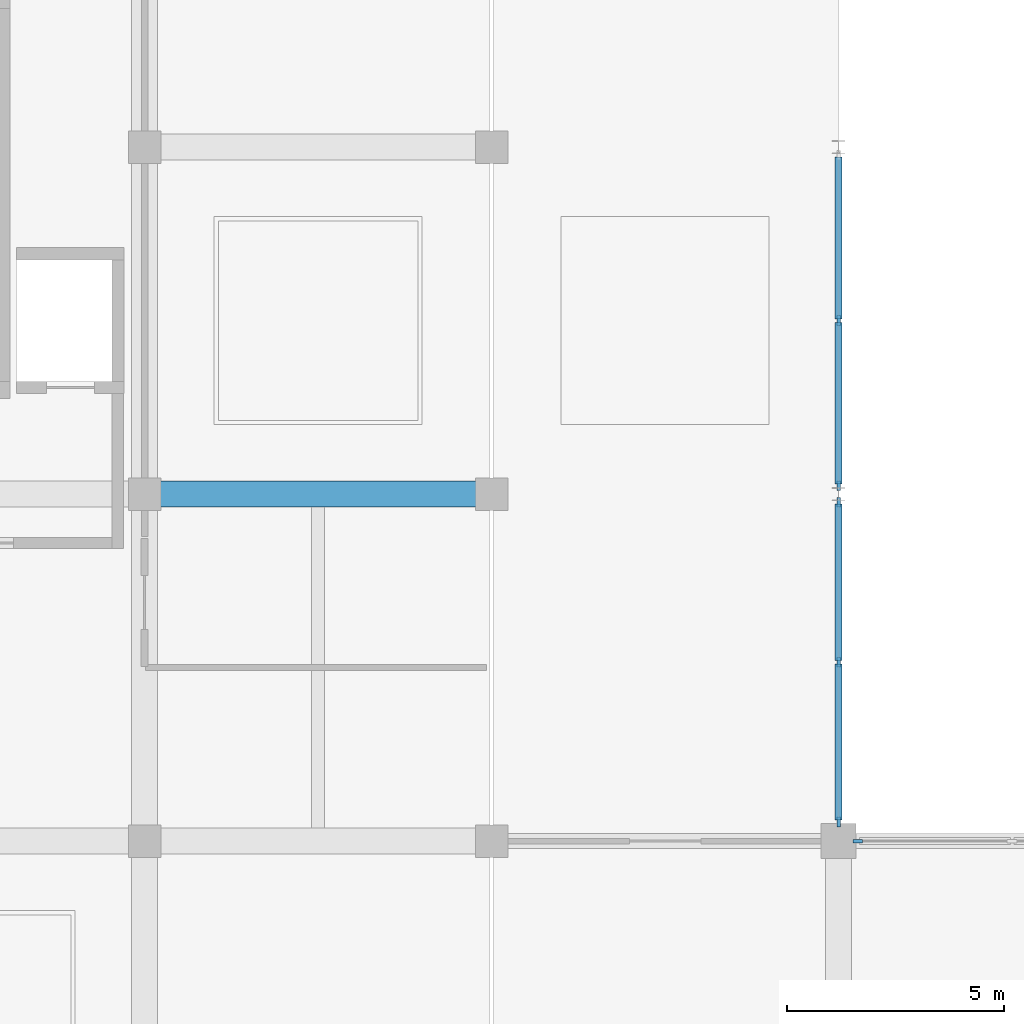
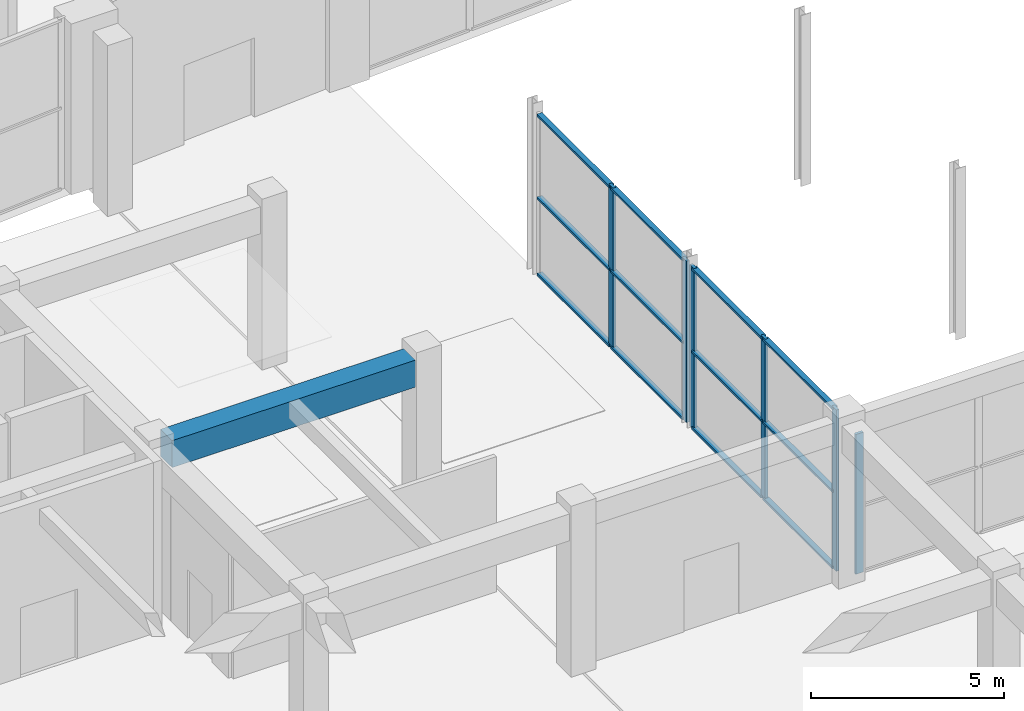
# One storey, part 17 of 86: 18 members, 1 beam, 3 elements without a shape of their own.
"""IFC4 building model written with IfcOpenShell, lengths in metres."""

from ifc_helpers import new_model, si_unit, direction, frame, origin, origin_2d, place, context, subcontext, project, spatial, rectangle, extrude, material, material_profile, profile_set, type_object, element, aggregate, save


model = new_model("IFC4")

# Units and contexts
model_context = context("Model", 3, precision=1e-05, world=origin(), true_north=direction((0.0, 1.0)))
body_context = subcontext(model_context, "Body", "Model", "MODEL_VIEW")
ifc_project = project(units=[si_unit("LENGTHUNIT", "METRE"), si_unit("AREAUNIT", "SQUARE_METRE"), si_unit("VOLUMEUNIT", "CUBIC_METRE"), si_unit("PLANEANGLEUNIT", "RADIAN"), si_unit("MASSUNIT", "GRAM", prefix="KILO")], contexts=[model_context])

# Site, building, storey
site_placement = place(None, origin())
site = spatial("IfcSite", under=ifc_project, at=site_placement, CompositionType="ELEMENT")
building_placement = place(site_placement, origin())
building = spatial("IfcBuilding", under=site, at=building_placement, Name="Kenh Van Central Station", CompositionType="ELEMENT")
storey_placement = place(building_placement, origin())
storey = spatial("IfcBuildingStorey", under=building, at=storey_placement, Name="L00", CompositionType="ELEMENT", Elevation=0.0)

# Beam
ifc_material_1 = material(Name="Concrete C35/45", Category="concrete")
ifc_material_profile_1 = material_profile(ifc_material_1, rectangle(XDim=0.60009765625, YDim=0.85009765625, at=origin_2d()), Name="RC 600x850")
ifc_profile_set_1 = profile_set([ifc_material_profile_1], Name="Concrete C35/45")
beam_type = type_object("IfcBeamType", Name="BM-RC-600x850", PredefinedType="BEAM", material=ifc_profile_set_1)
beam_placement = place(storey_placement, frame((40.364990234375, 48.0, 4.695068359375), z_axis=(1.0, 0.0, 0.0), x_axis=(0.0, 1.0, 0.0)))
element("IfcBeam", 1, at=beam_placement, inside=storey, type_object=beam_type, Name="L00 beam 0430", PredefinedType="BEAM", context=body_context, shape_type="SweptSolid", body=[
    extrude(rectangle(XDim=0.60009765625, YDim=0.85009765625, at=origin_2d()), origin(), (0.0, 0.0, 1.0), 7.27001953125),
])

# Curtain wall, member
ifc_material_2 = material(Name="Champagne anodised aluminium", Category="aluminium")
curtain_wall_type = type_object("IfcCurtainWallType", Name="CW-CONC-B", PredefinedType="NOTDEFINED", material=ifc_material_2)
curtain_wall_1_placement = place(storey_placement, origin())
curtain_wall_1 = element("IfcCurtainWall", 2, at=curtain_wall_1_placement, inside=storey, type_object=curtain_wall_type, Name="L00 curtain wall 028", PredefinedType="NOTDEFINED")
ifc_material_profile_2 = material_profile(ifc_material_2, rectangle(XDim=0.08203125, YDim=0.22509765625, at=origin_2d()), Name="AL 82x225")
ifc_profile_set_2 = profile_set([ifc_material_profile_2], Name="Champagne anodised aluminium")
member_type_1 = type_object("IfcMemberType", Name="CWM-70x180", PredefinedType="MULLION", material=ifc_profile_set_2)
member_1_placement = place(storey_placement, frame((56.44091796875, 40.0, 0.0), z_axis=(0.0, 0.0, 1.0), x_axis=(0.0, -1.0, 0.0)))
member_1 = element("IfcMember", 3, at=member_1_placement, type_object=member_type_1, Name="CW-04 mullion 3", PredefinedType="MULLION", context=body_context, shape_type="SweptSolid", body=[
    extrude(rectangle(XDim=0.08203125, YDim=0.22509765625, at=origin_2d()), origin(), (0.0, 0.0, 1.0), 4.419921875),
])
aggregate(curtain_wall_1, [member_1])

# Curtain wall, members
curtain_wall_2_placement = place(storey_placement, origin())
curtain_wall_2 = element("IfcCurtainWall", 4, at=curtain_wall_2_placement, inside=storey, type_object=curtain_wall_type, Name="L00 curtain wall 029", PredefinedType="NOTDEFINED")
member_2_placement = place(storey_placement, frame((56.0, 40.44091796875, 0.0), z_axis=(0.0, 0.0, 1.0), x_axis=(-1.0, 0.0, 0.0)))
member_2 = element("IfcMember", 5, at=member_2_placement, type_object=member_type_1, Name="CW-04 mullion 1", PredefinedType="MULLION", context=body_context, shape_type="SweptSolid", body=[
    extrude(rectangle(XDim=0.08203125, YDim=0.22509765625, at=origin_2d()), origin(), (0.0, 0.0, 1.0), 5.10009765625),
])
member_3_placement = place(storey_placement, frame((56.0, 44.125, 0.0), z_axis=(0.0, 0.0, 1.0), x_axis=(-1.0, 0.0, 0.0)))
member_3 = element("IfcMember", 6, at=member_3_placement, type_object=member_type_1, Name="CW-04 mullion 2", PredefinedType="MULLION", context=body_context, shape_type="SweptSolid", body=[
    extrude(rectangle(XDim=0.08203125, YDim=0.22509765625, at=origin_2d()), origin(), (0.0, 0.0, 1.0), 5.10009765625),
])
member_4_placement = place(storey_placement, frame((56.0, 47.80908203125, 0.0), z_axis=(0.0, 0.0, 1.0), x_axis=(-1.0, 0.0, 0.0)))
member_4 = element("IfcMember", 7, at=member_4_placement, type_object=member_type_1, Name="CW-04 mullion 3", PredefinedType="MULLION", context=body_context, shape_type="SweptSolid", body=[
    extrude(rectangle(XDim=0.08203125, YDim=0.22509765625, at=origin_2d()), origin(), (0.0, 0.0, 1.0), 5.10009765625),
])

curtain_wall_3_placement = place(storey_placement, origin())
curtain_wall_3 = element("IfcCurtainWall", 8, at=curtain_wall_3_placement, inside=storey, type_object=curtain_wall_type, Name="L00 curtain wall 030", PredefinedType="NOTDEFINED")
member_5_placement = place(storey_placement, frame((56.0, 48.19091796875, 0.0), z_axis=(0.0, 0.0, 1.0), x_axis=(-1.0, 0.0, 0.0)))
member_5 = element("IfcMember", 9, at=member_5_placement, type_object=member_type_1, Name="CW-04 mullion 1", PredefinedType="MULLION", context=body_context, shape_type="SweptSolid", body=[
    extrude(rectangle(XDim=0.08203125, YDim=0.22509765625, at=origin_2d()), origin(), (0.0, 0.0, 1.0), 5.10009765625),
])
member_6_placement = place(storey_placement, frame((56.0, 52.0, 0.0), z_axis=(0.0, 0.0, 1.0), x_axis=(-1.0, 0.0, 0.0)))
member_6 = element("IfcMember", 10, at=member_6_placement, type_object=member_type_1, Name="CW-04 mullion 2", PredefinedType="MULLION", context=body_context, shape_type="SweptSolid", body=[
    extrude(rectangle(XDim=0.08203125, YDim=0.22509765625, at=origin_2d()), origin(), (0.0, 0.0, 1.0), 5.10009765625),
])

# Member
ifc_material_profile_3 = material_profile(ifc_material_2, rectangle(XDim=0.155029296875, YDim=0.072021484375, at=origin_2d()), Name="AL 155x72")
ifc_profile_set_3 = profile_set([ifc_material_profile_3], Name="Champagne anodised aluminium")
member_type_2 = type_object("IfcMemberType", Name="CWT-120x60", PredefinedType="USERDEFINED", material=ifc_profile_set_3)
member_7_placement = place(storey_placement, frame((56.0, 40.48193359375, 0.035888671875), z_axis=(0.0, 1.0, 0.0), x_axis=(-1.0, 0.0, 0.0)))
member_7 = element("IfcMember", 11, at=member_7_placement, type_object=member_type_2, Name="CW-04 transom 1.1", ObjectType="TRANSOM", PredefinedType="USERDEFINED", context=body_context, shape_type="SweptSolid", body=[
    extrude(rectangle(XDim=0.155029296875, YDim=0.072021484375, at=origin_2d()), origin(), (0.0, 0.0, 1.0), 3.60205078125),
])

member_8_placement = place(storey_placement, frame((56.0, 40.48193359375, 2.447998046875), z_axis=(0.0, 1.0, 0.0), x_axis=(-1.0, 0.0, 0.0)))
member_8 = element("IfcMember", 12, at=member_8_placement, type_object=member_type_2, Name="CW-04 transom 1.2", ObjectType="TRANSOM", PredefinedType="USERDEFINED", context=body_context, shape_type="SweptSolid", body=[
    extrude(rectangle(XDim=0.155029296875, YDim=0.072021484375, at=origin_2d()), origin(), (0.0, 0.0, 1.0), 3.60205078125),
])

member_9_placement = place(storey_placement, frame((56.0, 40.48193359375, 5.06396484375), z_axis=(0.0, 1.0, 0.0), x_axis=(-1.0, 0.0, 0.0)))
member_9 = element("IfcMember", 13, at=member_9_placement, type_object=member_type_2, Name="CW-04 transom 1.3", ObjectType="TRANSOM", PredefinedType="USERDEFINED", context=body_context, shape_type="SweptSolid", body=[
    extrude(rectangle(XDim=0.155029296875, YDim=0.072021484375, at=origin_2d()), origin(), (0.0, 0.0, 1.0), 3.60205078125),
])

member_10_placement = place(storey_placement, frame((56.0, 44.166015625, 0.035888671875), z_axis=(0.0, 1.0, 0.0), x_axis=(-1.0, 0.0, 0.0)))
member_10 = element("IfcMember", 14, at=member_10_placement, type_object=member_type_2, Name="CW-04 transom 2.1", ObjectType="TRANSOM", PredefinedType="USERDEFINED", context=body_context, shape_type="SweptSolid", body=[
    extrude(rectangle(XDim=0.155029296875, YDim=0.072021484375, at=origin_2d()), origin(), (0.0, 0.0, 1.0), 3.60205078125),
])

member_11_placement = place(storey_placement, frame((56.0, 44.166015625, 2.447998046875), z_axis=(0.0, 1.0, 0.0), x_axis=(-1.0, 0.0, 0.0)))
member_11 = element("IfcMember", 15, at=member_11_placement, type_object=member_type_2, Name="CW-04 transom 2.2", ObjectType="TRANSOM", PredefinedType="USERDEFINED", context=body_context, shape_type="SweptSolid", body=[
    extrude(rectangle(XDim=0.155029296875, YDim=0.072021484375, at=origin_2d()), origin(), (0.0, 0.0, 1.0), 3.60205078125),
])

member_12_placement = place(storey_placement, frame((56.0, 44.166015625, 5.06396484375), z_axis=(0.0, 1.0, 0.0), x_axis=(-1.0, 0.0, 0.0)))
member_12 = element("IfcMember", 16, at=member_12_placement, type_object=member_type_2, Name="CW-04 transom 2.3", ObjectType="TRANSOM", PredefinedType="USERDEFINED", context=body_context, shape_type="SweptSolid", body=[
    extrude(rectangle(XDim=0.155029296875, YDim=0.072021484375, at=origin_2d()), origin(), (0.0, 0.0, 1.0), 3.60205078125),
])

aggregate(curtain_wall_2, [member_2, member_3, member_4, member_7, member_8, member_9, member_10, member_11, member_12])

member_13_placement = place(storey_placement, frame((56.0, 48.23193359375, 0.035888671875), z_axis=(0.0, 1.0, 0.0), x_axis=(-1.0, 0.0, 0.0)))
member_13 = element("IfcMember", 17, at=member_13_placement, type_object=member_type_2, Name="CW-04 transom 1.1", ObjectType="TRANSOM", PredefinedType="USERDEFINED", context=body_context, shape_type="SweptSolid", body=[
    extrude(rectangle(XDim=0.155029296875, YDim=0.072021484375, at=origin_2d()), origin(), (0.0, 0.0, 1.0), 3.72705078125),
])

member_14_placement = place(storey_placement, frame((56.0, 48.23193359375, 2.447998046875), z_axis=(0.0, 1.0, 0.0), x_axis=(-1.0, 0.0, 0.0)))
member_14 = element("IfcMember", 18, at=member_14_placement, type_object=member_type_2, Name="CW-04 transom 1.2", ObjectType="TRANSOM", PredefinedType="USERDEFINED", context=body_context, shape_type="SweptSolid", body=[
    extrude(rectangle(XDim=0.155029296875, YDim=0.072021484375, at=origin_2d()), origin(), (0.0, 0.0, 1.0), 3.72705078125),
])

member_15_placement = place(storey_placement, frame((56.0, 48.23193359375, 5.06396484375), z_axis=(0.0, 1.0, 0.0), x_axis=(-1.0, 0.0, 0.0)))
member_15 = element("IfcMember", 19, at=member_15_placement, type_object=member_type_2, Name="CW-04 transom 1.3", ObjectType="TRANSOM", PredefinedType="USERDEFINED", context=body_context, shape_type="SweptSolid", body=[
    extrude(rectangle(XDim=0.155029296875, YDim=0.072021484375, at=origin_2d()), origin(), (0.0, 0.0, 1.0), 3.72705078125),
])

member_16_placement = place(storey_placement, frame((56.0, 52.041015625, 0.035888671875), z_axis=(0.0, 1.0, 0.0), x_axis=(-1.0, 0.0, 0.0)))
member_16 = element("IfcMember", 20, at=member_16_placement, type_object=member_type_2, Name="CW-04 transom 2.1", ObjectType="TRANSOM", PredefinedType="USERDEFINED", context=body_context, shape_type="SweptSolid", body=[
    extrude(rectangle(XDim=0.155029296875, YDim=0.072021484375, at=origin_2d()), origin(), (0.0, 0.0, 1.0), 3.72705078125),
])

member_17_placement = place(storey_placement, frame((56.0, 52.041015625, 2.447998046875), z_axis=(0.0, 1.0, 0.0), x_axis=(-1.0, 0.0, 0.0)))
member_17 = element("IfcMember", 21, at=member_17_placement, type_object=member_type_2, Name="CW-04 transom 2.2", ObjectType="TRANSOM", PredefinedType="USERDEFINED", context=body_context, shape_type="SweptSolid", body=[
    extrude(rectangle(XDim=0.155029296875, YDim=0.072021484375, at=origin_2d()), origin(), (0.0, 0.0, 1.0), 3.72705078125),
])

member_18_placement = place(storey_placement, frame((56.0, 52.041015625, 5.06396484375), z_axis=(0.0, 1.0, 0.0), x_axis=(-1.0, 0.0, 0.0)))
member_18 = element("IfcMember", 22, at=member_18_placement, type_object=member_type_2, Name="CW-04 transom 2.3", ObjectType="TRANSOM", PredefinedType="USERDEFINED", context=body_context, shape_type="SweptSolid", body=[
    extrude(rectangle(XDim=0.155029296875, YDim=0.072021484375, at=origin_2d()), origin(), (0.0, 0.0, 1.0), 3.72705078125),
])

aggregate(curtain_wall_3, [member_5, member_6, member_13, member_14, member_15, member_16, member_17, member_18])

save(model, "model.ifc")
